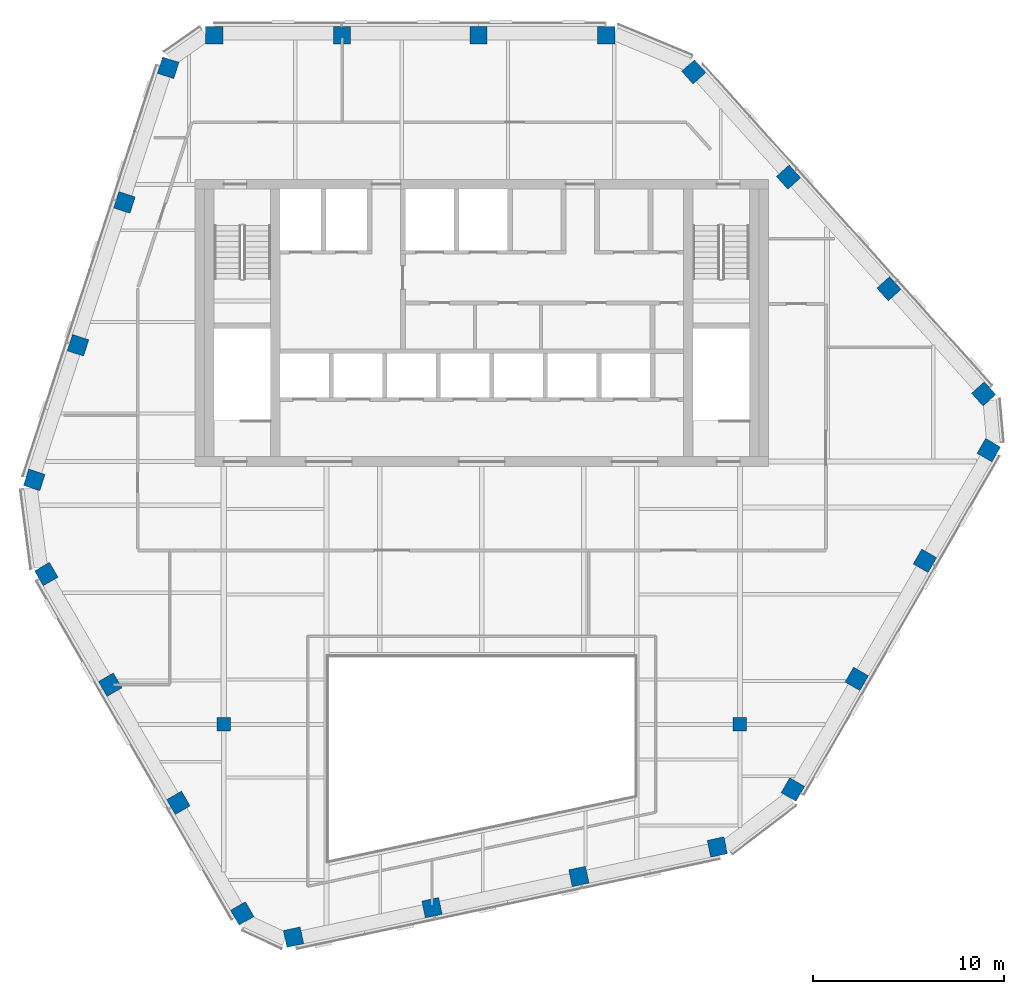
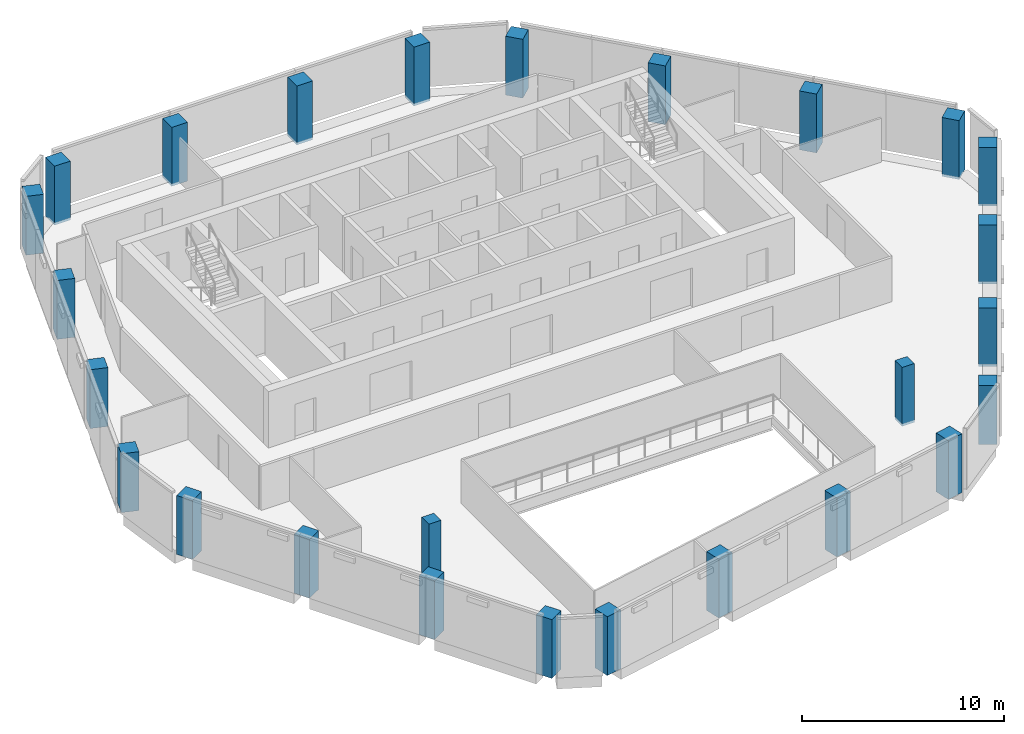
# One storey, part 1 of 13: 26 columns.
"""IFC4 building model written with IfcOpenShell, lengths in metres."""

from ifc_helpers import new_model, si_unit, direction, frame, origin, origin_2d, place, context, subcontext, project, spatial, rectangle, extrude, material, material_profile, profile_set, type_object, element, save


model = new_model("IFC4")

# Units and contexts
model_context = context("Model", 3, precision=1e-05, world=origin(), true_north=direction((0.0, 1.0)))
body_context = subcontext(model_context, "Body", "Model", "MODEL_VIEW")
ifc_project = project(units=[si_unit("LENGTHUNIT", "METRE"), si_unit("AREAUNIT", "SQUARE_METRE"), si_unit("VOLUMEUNIT", "CUBIC_METRE"), si_unit("PLANEANGLEUNIT", "RADIAN"), si_unit("MASSUNIT", "GRAM", prefix="KILO")], contexts=[model_context])

# Site, building, storey
site_placement = place(None, origin())
site = spatial("IfcSite", under=ifc_project, at=site_placement, CompositionType="ELEMENT")
building_placement = place(site_placement, origin())
building = spatial("IfcBuilding", under=site, at=building_placement, Name="Isthmus Gate Tower", CompositionType="ELEMENT")
storey_placement = place(building_placement, frame((0.0, 0.0, 297.449951171875)))
storey = spatial("IfcBuildingStorey", under=building, at=storey_placement, Name="L76", CompositionType="ELEMENT", Elevation=297.449951171875)

# Columns
ifc_material_1 = material(Name="Concrete f'c 50 MPa", Category="concrete")
ifc_material_profile_1 = material_profile(ifc_material_1, rectangle(XDim=0.699951171875, YDim=0.699951171875, at=origin_2d()), Name="RC 700X700")
ifc_profile_set_1 = profile_set([ifc_material_profile_1], Name="Concrete f'c 50 MPa")
column_type_1 = type_object("IfcColumnType", Name="RC INTERIOR COLUMN 700 X 700", PredefinedType="COLUMN", material=ifc_profile_set_1)
for number, where, z_axis, x_axis, name in (
    (1, (-13.5, -13.5, -0.14990234375), (0.0, 0.0, 1.0), (1.0, 0.0, 0.0), "str-icol-L76-ICB2"),
    (2, (13.5, -13.5, -0.14990234375), (0.0, 0.0, 1.0), (1.0, 0.0, 0.0), "str-icol-L76-ICD2"),
):
    element("IfcColumn", number, at=place(storey_placement, frame(where, z_axis=z_axis, x_axis=x_axis)), inside=storey, type_object=column_type_1, Name=name, PredefinedType="COLUMN", context=body_context, shape_type="SweptSolid", body=[
        extrude(rectangle(XDim=0.699951171875, YDim=0.699951171875, at=origin_2d()), origin(), (0.0, 0.0, 1.0), 3.550048828125),
    ])
ifc_material_2 = material(Name="Concrete f'c 50 MPa", Category="concrete")
ifc_material_profile_2 = material_profile(ifc_material_2, rectangle(XDim=0.89990234375, YDim=0.89990234375, at=origin_2d()), Name="RC 900X900")
ifc_profile_set_2 = profile_set([ifc_material_profile_2], Name="Concrete f'c 50 MPa")
column_type_2 = type_object("IfcColumnType", Name="RC TUBE COLUMN 900 X 900", PredefinedType="COLUMN", material=ifc_profile_set_2)
for number, where, z_axis, x_axis, name in (
    (3, (6.509521484375, 22.550048828125, -0.14990234375), (0.0, 0.0, 1.0), (-1.0, 0.0, 0.0), "str-tcol-L76-T4N0"),
    (4, (-0.175048828125, 22.550048828125, -0.14990234375), (0.0, 0.0, 1.0), (-1.0, 0.0, 0.0), "str-tcol-L76-T4N1"),
    (5, (-7.3095703125, 22.550048828125, -0.14990234375), (0.0, 0.0, 1.0), (-1.0, 0.0, 0.0), "str-tcol-L76-T4N2"),
    (6, (-13.994140625, 22.550048828125, -0.14990234375), (0.0, 0.0, 1.0), (-1.0, 0.0, 0.0), "str-tcol-L76-T4N3"),
    (7, (-16.408203125, 20.847900390625, -0.14990234375), (0.0, 0.0, 1.0), (-0.309016994375, -0.951056516295, 0.0), "str-tcol-L76-T4NW0"),
    (8, (-18.697021484375, 13.8037109375, -0.14990234375), (0.0, 0.0, 1.0), (-0.309016994375, -0.951056516295, 0.0), "str-tcol-L76-T4NW1"),
    (9, (-21.124755859375, 6.331298828125, -0.14990234375), (0.0, 0.0, 1.0), (-0.309016994375, -0.951056516295, 0.0), "str-tcol-L76-T4NW2"),
    (10, (-23.41357421875, -0.712890625, -0.14990234375), (0.0, 0.0, 1.0), (-0.309016994375, -0.951056516295, 0.0), "str-tcol-L76-T4NW3"),
    (11, (-22.78369140625, -5.6376953125, -0.14990234375), (0.0, 0.0, 1.0), (0.5, -0.866025403784, 0.0), "str-tcol-L76-T4SW0"),
    (12, (-19.44140625, -11.426513671875, -0.14990234375), (0.0, 0.0, 1.0), (0.5, -0.866025403784, 0.0), "str-tcol-L76-T4SW1"),
    (13, (-15.8740234375, -17.605224609375, -0.14990234375), (0.0, 0.0, 1.0), (0.5, -0.866025403784, 0.0), "str-tcol-L76-T4SW2"),
    (14, (-12.53173828125, -23.394287109375, -0.14990234375), (0.0, 0.0, 1.0), (0.5, -0.866025403784, 0.0), "str-tcol-L76-T4SW3"),
    (15, (-9.850830078125, -24.6337890625, -0.14990234375), (0.0, 0.0, 1.0), (0.978147600734, 0.207911690818, 0.0), "str-tcol-L76-T4S0"),
    (16, (-2.605712890625, -23.09375, -0.14990234375), (0.0, 0.0, 1.0), (0.978147600734, 0.207911690818, 0.0), "str-tcol-L76-T4S1"),
    (17, (5.079345703125, -21.460205078125, -0.14990234375), (0.0, 0.0, 1.0), (0.978147600734, 0.207911690818, 0.0), "str-tcol-L76-T4S2"),
    (18, (12.32421875, -19.92041015625, -0.14990234375), (0.0, 0.0, 1.0), (0.978147600734, 0.207911690818, 0.0), "str-tcol-L76-T4S3"),
    (19, (16.274169921875, -16.912353515625, -0.14990234375), (0.0, 0.0, 1.0), (0.5, 0.866025403784, 0.0), "str-tcol-L76-T4SE0"),
    (20, (19.616455078125, -11.123291015625, -0.14990234375), (0.0, 0.0, 1.0), (0.5, 0.866025403784, 0.0), "str-tcol-L76-T4SE1"),
    (21, (23.18359375, -4.944580078125, -0.14990234375), (0.0, 0.0, 1.0), (0.5, 0.866025403784, 0.0), "str-tcol-L76-T4SE2"),
    (22, (26.52587890625, 0.84423828125, -0.14990234375), (0.0, 0.0, 1.0), (0.5, 0.866025403784, 0.0), "str-tcol-L76-T4SE3"),
    (23, (26.2587890625, 3.785888671875, -0.14990234375), (0.0, 0.0, 1.0), (-0.669130606359, 0.743144825477, 0.0), "str-tcol-L76-T4NE0"),
    (24, (21.302734375, 9.290283203125, -0.14990234375), (0.0, 0.0, 1.0), (-0.669130606359, 0.743144825477, 0.0), "str-tcol-L76-T4NE1"),
    (25, (16.04541015625, 15.12890625, -0.14990234375), (0.0, 0.0, 1.0), (-0.669130606359, 0.743144825477, 0.0), "str-tcol-L76-T4NE2"),
    (26, (11.08935546875, 20.63330078125, -0.14990234375), (0.0, 0.0, 1.0), (-0.669130606359, 0.743144825477, 0.0), "str-tcol-L76-T4NE3"),
):
    element("IfcColumn", number, at=place(storey_placement, frame(where, z_axis=z_axis, x_axis=x_axis)), inside=storey, type_object=column_type_2, Name=name, PredefinedType="COLUMN", context=body_context, shape_type="SweptSolid", body=[
        extrude(rectangle(XDim=0.89990234375, YDim=0.89990234375, at=origin_2d()), origin(), (0.0, 0.0, 1.0), 3.550048828125),
    ])

save(model, "model.ifc")
